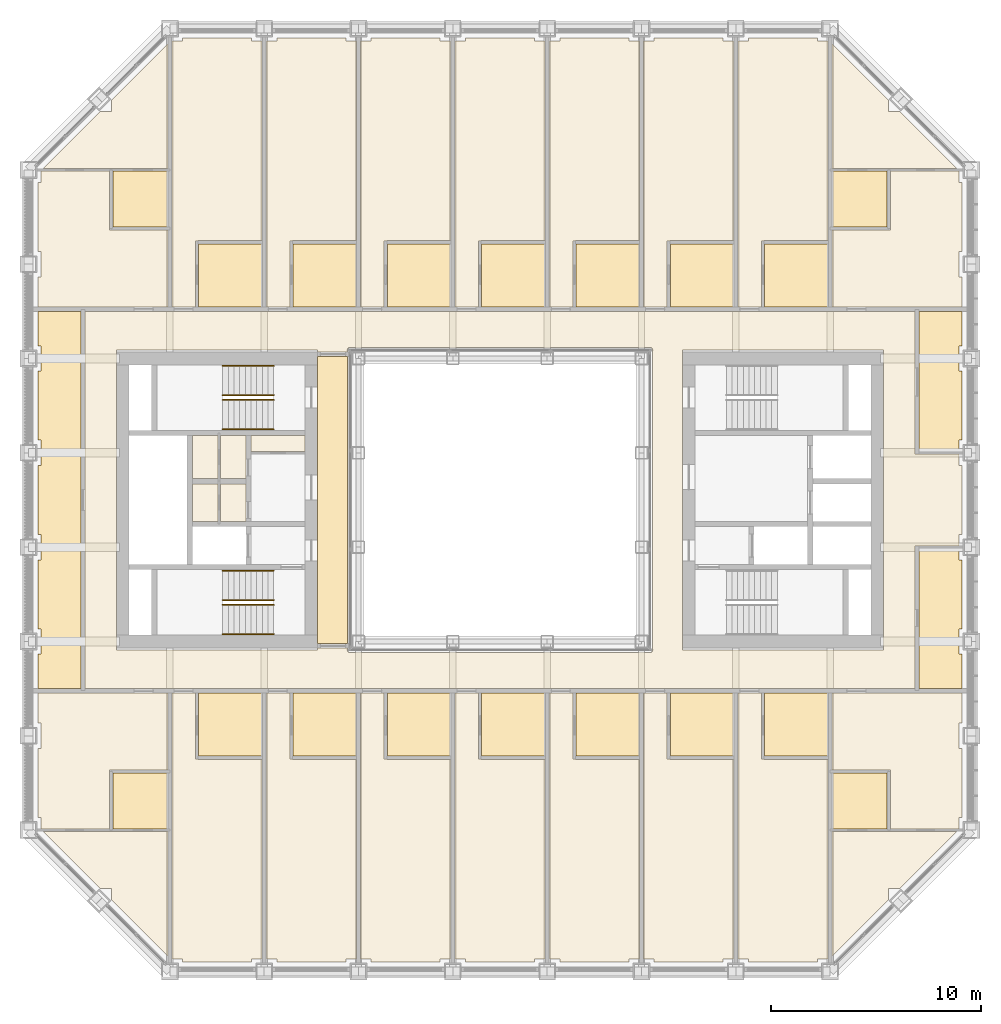
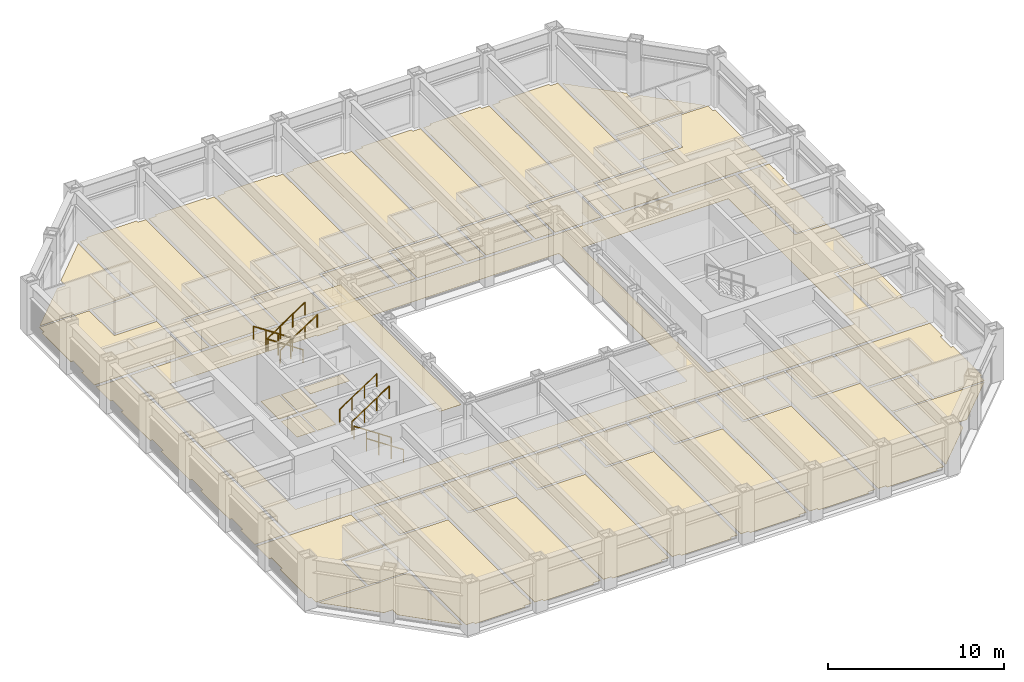
# One storey, part 16 of 18: 8 railings, 4 coverings.
"""IFC4 building model written with IfcOpenShell, lengths in metres."""

from ifc_helpers import new_model, si_unit, direction, frame, origin, origin_2d, place, context, subcontext, project, spatial, line, indexed_curve, circle, outline, extrude, material, layer, layer_set, type_object, element, save


model = new_model("IFC4")

# Units and contexts
model_context = context("Model", 3, precision=1e-05, world=origin(), true_north=direction((0.0, 1.0)))
body_context = subcontext(model_context, "Body", "Model", "MODEL_VIEW")
ifc_project = project(units=[si_unit("LENGTHUNIT", "METRE"), si_unit("AREAUNIT", "SQUARE_METRE"), si_unit("VOLUMEUNIT", "CUBIC_METRE"), si_unit("PLANEANGLEUNIT", "RADIAN"), si_unit("MASSUNIT", "GRAM", prefix="KILO")], contexts=[model_context])

# Site, building, storey
site_placement = place(None, origin())
site = spatial("IfcSite", under=ifc_project, at=site_placement, CompositionType="ELEMENT")
building_placement = place(site_placement, origin())
building = spatial("IfcBuilding", under=site, at=building_placement, Name="Msasa Ring Tower", CompositionType="ELEMENT")
storey_placement = place(building_placement, frame((0.0, 0.0, 122.0)))
storey = spatial("IfcBuildingStorey", under=building, at=storey_placement, Name="L31", CompositionType="ELEMENT", Elevation=122.0)

# Coverings
ifc_material_1 = material(Name="Gypsum plasterboard on a steel suspension grid", Category="steel")
ifc_layer_1 = layer(ifc_material_1, 0.014892578125)
ifc_layer_set_1 = layer_set([ifc_layer_1], Name="C1 SUSPENDED PLASTERBOARD CEILING 15")
covering_type_1 = type_object("IfcCoveringType", Name="C1 SUSPENDED PLASTERBOARD CEILING 15", PredefinedType="CEILING", material=ifc_layer_set_1)
covering_1_placement = place(storey_placement, frame((0.0, 0.0, 3.199951171875)))
element("IfcCovering", 1, at=covering_1_placement, inside=storey, type_object=covering_type_1, Name="Suspended Plasterboard Ceiling 15 public rooms L31", PredefinedType="CEILING", context=body_context, shape_type="SweptSolid", body=[
    extrude(outline(indexed_curve([(-8.699462890625, 6.849609375), (-7.280029296875, 6.849609375), (-7.280029296875, -6.849609375), (-8.699462890625, -6.849609375)], segments=[line(1, 2, 3, 4, 1)], self_intersect=False)), origin(), (0.0, 0.0, 1.0), 0.01513671875),
])
ifc_material_2 = material(Name="Wool-blend carpet on felt underlay", Category="textile")
ifc_layer_2 = layer(ifc_material_2, 0.011962890625)
ifc_layer_set_2 = layer_set([ifc_layer_2], Name="F2 CARPET ON UNDERLAY 12")
covering_type_2 = type_object("IfcCoveringType", Name="F2 CARPET ON UNDERLAY 12", PredefinedType="FLOORING", material=ifc_layer_set_2)
covering_2_placement = place(storey_placement, origin())
element("IfcCovering", 2, at=covering_2_placement, inside=storey, type_object=covering_type_2, Name="Carpet On Underlay 12 L31", PredefinedType="FLOORING", context=body_context, shape_type="SweptSolid", body=[
    extrude(outline(indexed_curve([(-15.8505859375, -9.200439453125), (-15.8505859375, -12.869384765625), (-18.630615234375, -12.869384765625), (-18.630615234375, -15.694580078125), (-21.8994140625, -15.694580078125), (-21.8994140625, -15.1494140625), (-22.049560546875, -15.1494140625), (-22.049560546875, -11.8505859375), (-21.8994140625, -11.8505859375), (-21.8994140625, -10.6494140625), (-22.049560546875, -10.6494140625), (-22.049560546875, -9.200439453125)], segments=[line(1, 2, 3, 4, 5, 6, 7, 8, 9, 10, 11, 12, 1)], self_intersect=False)), origin(), (0.0, 0.0, 1.0), 0.011962890625),
    extrude(outline(indexed_curve([(-22.049560546875, 9.200439453125), (-22.049560546875, 10.6494140625), (-21.8994140625, 10.6494140625), (-21.8994140625, 11.8505859375), (-22.049560546875, 11.8505859375), (-22.049560546875, 15.1494140625), (-21.8994140625, 15.1494140625), (-21.8994140625, 15.694580078125), (-18.630615234375, 15.694580078125), (-18.630615234375, 12.869384765625), (-15.8505859375, 12.869384765625), (-15.8505859375, 9.200439453125)], segments=[line(1, 2, 3, 4, 5, 6, 7, 8, 9, 10, 11, 12, 1)], self_intersect=False)), origin(), (0.0, 0.0, 1.0), 0.011962890625),
    extrude(outline(indexed_curve([(-15.8505859375, -15.805419921875), (-15.8505859375, -21.762451171875), (-18.5244140625, -19.08837890625), (-18.5244140625, -18.5244140625), (-19.08837890625, -18.5244140625), (-21.807373046875, -15.805419921875)], segments=[line(1, 2, 3, 4, 5, 6, 1)], self_intersect=False)), origin(), (0.0, 0.0, 1.0), 0.011962890625),
    extrude(outline(indexed_curve([(-21.807373046875, 15.805419921875), (-19.08837890625, 18.5244140625), (-18.5244140625, 18.5244140625), (-18.5244140625, 19.08837890625), (-15.8505859375, 21.762451171875), (-15.8505859375, 15.805419921875)], segments=[line(1, 2, 3, 4, 5, 6, 1)], self_intersect=False)), origin(), (0.0, 0.0, 1.0), 0.011962890625),
    extrude(outline(indexed_curve([(22.049560546875, -1.6494140625), (21.8994140625, -1.6494140625), (21.8994140625, -2.199462890625), (19.799560546875, -2.199462890625), (19.799560546875, -8.99951171875), (-19.799560546875, -8.99951171875), (-19.799560546875, 8.99951171875), (19.799560546875, 8.99951171875), (19.799560546875, 2.199462890625), (21.8994140625, 2.199462890625), (21.8994140625, 1.6494140625), (22.049560546875, 1.6494140625)], segments=[line(1, 2, 3, 4, 5, 6, 7, 8, 9, 10, 11, 12, 1)], self_intersect=False), holes=[indexed_curve([(18.300537109375, -7.150390625), (18.300537109375, 7.150390625), (8.699462890625, 7.150390625), (8.699462890625, -7.150390625)], segments=[line(1, 2, 3, 4, 1)], self_intersect=False), indexed_curve([(-18.300537109375, 7.150390625), (-18.300537109375, -7.150390625), (-8.699462890625, -7.150390625), (-8.699462890625, -7.050537109375), (-7.280029296875, -7.050537109375), (-7.280517578125, -7.23046875), (-7.22998046875, -7.23046875), (-7.22998046875, -7.280029296875), (7.22998046875, -7.280029296875), (7.22998046875, -7.23046875), (7.280517578125, -7.23046875), (7.280517578125, 7.23046875), (7.22998046875, 7.23046875), (7.22998046875, 7.280029296875), (-7.22998046875, 7.280029296875), (-7.22998046875, 7.23046875), (-7.280517578125, 7.23046875), (-7.280029296875, 7.050537109375), (-8.699462890625, 7.050537109375), (-8.699462890625, 7.150390625)], segments=[line(1, 2, 3, 4, 5, 6, 7, 8, 9, 10, 11, 12, 13, 14, 15, 16, 17, 18, 19, 20, 1)], self_intersect=False)]), origin(), (0.0, 0.0, 1.0), 0.011962890625),
    extrude(outline(indexed_curve([(-15.6494140625, -9.200439453125), (-14.525390625, -9.200439453125), (-14.525390625, -12.35009765625), (-14.39990234375, -12.3505859375), (-14.39990234375, -12.37548828125), (-11.3505859375, -12.37548828125), (-11.3505859375, -21.8994140625), (-11.8505859375, -21.8994140625), (-11.8505859375, -22.049560546875), (-15.1494140625, -22.049560546875), (-15.1494140625, -21.8994140625), (-15.6494140625, -21.8994140625)], segments=[line(1, 2, 3, 4, 5, 6, 7, 8, 9, 10, 11, 12, 1)], self_intersect=False)), origin(), (0.0, 0.0, 1.0), 0.011962890625),
    extrude(outline(indexed_curve([(-15.6494140625, 21.8994140625), (-15.1494140625, 21.8994140625), (-15.1494140625, 22.049560546875), (-11.8505859375, 22.049560546875), (-11.8505859375, 21.8994140625), (-11.3505859375, 21.8994140625), (-11.3505859375, 12.37548828125), (-14.39990234375, 12.37548828125), (-14.39990234375, 12.3505859375), (-14.525390625, 12.35009765625), (-14.525390625, 9.200439453125), (-15.6494140625, 9.200439453125)], segments=[line(1, 2, 3, 4, 5, 6, 7, 8, 9, 10, 11, 12, 1)], self_intersect=False)), origin(), (0.0, 0.0, 1.0), 0.011962890625),
    extrude(outline(indexed_curve([(-13.45556640625, -1.0244140625), (-14.674560546875, -1.0244140625), (-14.674560546875, 0.7744140625), (-13.45556640625, 0.7744140625)], segments=[line(1, 2, 3, 4, 1)], self_intersect=False)), origin(), (0.0, 0.0, 1.0), 0.011962890625),
    extrude(outline(indexed_curve([(-13.45556640625, 3.074462890625), (-13.45556640625, 1.025390625), (-14.674560546875, 1.025390625), (-14.674560546875, 3.074462890625)], segments=[line(1, 2, 3, 4, 1)], self_intersect=False)), origin(), (0.0, 0.0, 1.0), 0.011962890625),
    extrude(outline(indexed_curve([(-12.12548828125, -1.0244140625), (-13.344482421875, -1.0244140625), (-13.344482421875, 0.7744140625), (-12.12548828125, 0.7744140625)], segments=[line(1, 2, 3, 4, 1)], self_intersect=False)), origin(), (0.0, 0.0, 1.0), 0.011962890625),
    extrude(outline(indexed_curve([(-12.12548828125, 1.025390625), (-13.344482421875, 1.025390625), (-13.344482421875, 3.074462890625), (-12.12548828125, 3.074462890625)], segments=[line(1, 2, 3, 4, 1)], self_intersect=False)), origin(), (0.0, 0.0, 1.0), 0.011962890625),
    extrude(outline(indexed_curve([(-9.300537109375, 2.305419921875), (-11.87451171875, 2.305419921875), (-11.87451171875, 3.074462890625), (-9.300537109375, 3.074462890625)], segments=[line(1, 2, 3, 4, 1)], self_intersect=False)), origin(), (0.0, 0.0, 1.0), 0.011962890625),
    extrude(outline(indexed_curve([(-10.025390625, -9.200439453125), (-10.025390625, -12.35009765625), (-9.89990234375, -12.3505859375), (-9.89990234375, -12.37548828125), (-6.8505859375, -12.37548828125), (-6.8505859375, -21.8994140625), (-7.3505859375, -21.8994140625), (-7.3505859375, -22.049560546875), (-10.6494140625, -22.049560546875), (-10.6494140625, -21.8994140625), (-11.1494140625, -21.8994140625), (-11.1494140625, -9.200439453125)], segments=[line(1, 2, 3, 4, 5, 6, 7, 8, 9, 10, 11, 12, 1)], self_intersect=False)), origin(), (0.0, 0.0, 1.0), 0.011962890625),
    extrude(outline(indexed_curve([(-7.3505859375, 22.049560546875), (-7.3505859375, 21.8994140625), (-6.8505859375, 21.8994140625), (-6.8505859375, 12.37548828125), (-9.89990234375, 12.37548828125), (-9.89990234375, 12.3505859375), (-10.025390625, 12.35009765625), (-10.025390625, 9.200439453125), (-11.1494140625, 9.200439453125), (-11.1494140625, 21.8994140625), (-10.6494140625, 21.8994140625), (-10.6494140625, 22.049560546875)], segments=[line(1, 2, 3, 4, 5, 6, 7, 8, 9, 10, 11, 12, 1)], self_intersect=False)), origin(), (0.0, 0.0, 1.0), 0.011962890625),
    extrude(outline(indexed_curve([(-5.525390625, -9.200439453125), (-5.525390625, -12.35009765625), (-5.39990234375, -12.3505859375), (-5.39990234375, -12.37548828125), (-2.3505859375, -12.37548828125), (-2.3505859375, -21.8994140625), (-2.8505859375, -21.8994140625), (-2.8505859375, -22.049560546875), (-6.1494140625, -22.049560546875), (-6.1494140625, -21.8994140625), (-6.6494140625, -21.8994140625), (-6.6494140625, -9.200439453125)], segments=[line(1, 2, 3, 4, 5, 6, 7, 8, 9, 10, 11, 12, 1)], self_intersect=False)), origin(), (0.0, 0.0, 1.0), 0.011962890625),
    extrude(outline(indexed_curve([(-2.8505859375, 22.049560546875), (-2.8505859375, 21.8994140625), (-2.3505859375, 21.8994140625), (-2.3505859375, 12.37548828125), (-5.39990234375, 12.37548828125), (-5.39990234375, 12.3505859375), (-5.525390625, 12.35009765625), (-5.525390625, 9.200439453125), (-6.6494140625, 9.200439453125), (-6.6494140625, 21.8994140625), (-6.1494140625, 21.8994140625), (-6.1494140625, 22.049560546875)], segments=[line(1, 2, 3, 4, 5, 6, 7, 8, 9, 10, 11, 12, 1)], self_intersect=False)), origin(), (0.0, 0.0, 1.0), 0.011962890625),
    extrude(outline(indexed_curve([(-1.025390625, -9.200439453125), (-1.025390625, -12.35009765625), (-0.89990234375, -12.3505859375), (-0.89990234375, -12.37548828125), (2.1494140625, -12.37548828125), (2.1494140625, -21.8994140625), (1.6494140625, -21.8994140625), (1.6494140625, -22.049560546875), (-1.6494140625, -22.049560546875), (-1.6494140625, -21.8994140625), (-2.1494140625, -21.8994140625), (-2.1494140625, -9.200439453125)], segments=[line(1, 2, 3, 4, 5, 6, 7, 8, 9, 10, 11, 12, 1)], self_intersect=False)), origin(), (0.0, 0.0, 1.0), 0.011962890625),
    extrude(outline(indexed_curve([(1.6494140625, 22.049560546875), (1.6494140625, 21.8994140625), (2.1494140625, 21.8994140625), (2.1494140625, 12.37548828125), (-0.89990234375, 12.37548828125), (-0.89990234375, 12.3505859375), (-1.025390625, 12.35009765625), (-1.025390625, 9.200439453125), (-2.1494140625, 9.200439453125), (-2.1494140625, 21.8994140625), (-1.6494140625, 21.8994140625), (-1.6494140625, 22.049560546875)], segments=[line(1, 2, 3, 4, 5, 6, 7, 8, 9, 10, 11, 12, 1)], self_intersect=False)), origin(), (0.0, 0.0, 1.0), 0.011962890625),
    extrude(outline(indexed_curve([(3.474609375, -9.200439453125), (3.474609375, -12.35009765625), (3.60009765625, -12.3505859375), (3.60009765625, -12.37548828125), (6.6494140625, -12.37548828125), (6.6494140625, -21.8994140625), (6.1494140625, -21.8994140625), (6.1494140625, -22.049560546875), (2.8505859375, -22.049560546875), (2.8505859375, -21.8994140625), (2.3505859375, -21.8994140625), (2.3505859375, -9.200439453125)], segments=[line(1, 2, 3, 4, 5, 6, 7, 8, 9, 10, 11, 12, 1)], self_intersect=False)), origin(), (0.0, 0.0, 1.0), 0.011962890625),
    extrude(outline(indexed_curve([(6.1494140625, 22.049560546875), (6.1494140625, 21.8994140625), (6.6494140625, 21.8994140625), (6.6494140625, 12.37548828125), (3.60009765625, 12.37548828125), (3.60009765625, 12.3505859375), (3.474609375, 12.35009765625), (3.474609375, 9.200439453125), (2.3505859375, 9.200439453125), (2.3505859375, 21.8994140625), (2.8505859375, 21.8994140625), (2.8505859375, 22.049560546875)], segments=[line(1, 2, 3, 4, 5, 6, 7, 8, 9, 10, 11, 12, 1)], self_intersect=False)), origin(), (0.0, 0.0, 1.0), 0.011962890625),
    extrude(outline(indexed_curve([(7.974609375, -9.200439453125), (7.974609375, -12.35009765625), (8.10009765625, -12.3505859375), (8.10009765625, -12.37548828125), (11.1494140625, -12.37548828125), (11.1494140625, -21.8994140625), (10.6494140625, -21.8994140625), (10.6494140625, -22.049560546875), (7.3505859375, -22.049560546875), (7.3505859375, -21.8994140625), (6.8505859375, -21.8994140625), (6.8505859375, -9.200439453125)], segments=[line(1, 2, 3, 4, 5, 6, 7, 8, 9, 10, 11, 12, 1)], self_intersect=False)), origin(), (0.0, 0.0, 1.0), 0.011962890625),
    extrude(outline(indexed_curve([(10.6494140625, 22.049560546875), (10.6494140625, 21.8994140625), (11.1494140625, 21.8994140625), (11.1494140625, 12.37548828125), (8.10009765625, 12.37548828125), (8.10009765625, 12.3505859375), (7.974609375, 12.35009765625), (7.974609375, 9.200439453125), (6.8505859375, 9.200439453125), (6.8505859375, 21.8994140625), (7.3505859375, 21.8994140625), (7.3505859375, 22.049560546875)], segments=[line(1, 2, 3, 4, 5, 6, 7, 8, 9, 10, 11, 12, 1)], self_intersect=False)), origin(), (0.0, 0.0, 1.0), 0.011962890625),
    extrude(outline(indexed_curve([(11.3505859375, -9.200439453125), (12.474609375, -9.200439453125), (12.474609375, -12.35009765625), (12.60009765625, -12.3505859375), (12.60009765625, -12.37548828125), (15.6494140625, -12.37548828125), (15.6494140625, -21.8994140625), (15.1494140625, -21.8994140625), (15.1494140625, -22.049560546875), (11.8505859375, -22.049560546875), (11.8505859375, -21.8994140625), (11.3505859375, -21.8994140625)], segments=[line(1, 2, 3, 4, 5, 6, 7, 8, 9, 10, 11, 12, 1)], self_intersect=False)), origin(), (0.0, 0.0, 1.0), 0.011962890625),
    extrude(outline(indexed_curve([(11.3505859375, 21.8994140625), (11.8505859375, 21.8994140625), (11.8505859375, 22.049560546875), (15.1494140625, 22.049560546875), (15.1494140625, 21.8994140625), (15.6494140625, 21.8994140625), (15.6494140625, 12.37548828125), (12.60009765625, 12.37548828125), (12.60009765625, 12.3505859375), (12.474609375, 12.35009765625), (12.474609375, 9.200439453125), (11.3505859375, 9.200439453125)], segments=[line(1, 2, 3, 4, 5, 6, 7, 8, 9, 10, 11, 12, 1)], self_intersect=False)), origin(), (0.0, 0.0, 1.0), 0.011962890625),
    extrude(outline(indexed_curve([(15.8505859375, -15.805419921875), (21.807373046875, -15.805419921875), (19.08837890625, -18.5244140625), (18.5244140625, -18.5244140625), (18.5244140625, -19.08837890625), (15.8505859375, -21.762451171875)], segments=[line(1, 2, 3, 4, 5, 6, 1)], self_intersect=False)), origin(), (0.0, 0.0, 1.0), 0.011962890625),
    extrude(outline(indexed_curve([(22.049560546875, -9.200439453125), (22.049560546875, -10.6494140625), (21.8994140625, -10.6494140625), (21.8994140625, -11.8505859375), (22.049560546875, -11.8505859375), (22.049560546875, -15.1494140625), (21.8994140625, -15.1494140625), (21.8994140625, -15.694580078125), (18.630615234375, -15.694580078125), (18.630615234375, -12.869384765625), (15.8505859375, -12.869384765625), (15.8505859375, -9.200439453125)], segments=[line(1, 2, 3, 4, 5, 6, 7, 8, 9, 10, 11, 12, 1)], self_intersect=False)), origin(), (0.0, 0.0, 1.0), 0.011962890625),
    extrude(outline(indexed_curve([(22.049560546875, 11.8505859375), (21.8994140625, 11.8505859375), (21.8994140625, 10.6494140625), (22.049560546875, 10.6494140625), (22.049560546875, 9.200439453125), (15.8505859375, 9.200439453125), (15.8505859375, 12.869384765625), (18.630615234375, 12.869384765625), (18.630615234375, 15.694580078125), (21.8994140625, 15.694580078125), (21.8994140625, 15.1494140625), (22.049560546875, 15.1494140625)], segments=[line(1, 2, 3, 4, 5, 6, 7, 8, 9, 10, 11, 12, 1)], self_intersect=False)), origin(), (0.0, 0.0, 1.0), 0.011962890625),
    extrude(outline(indexed_curve([(15.8505859375, 21.762451171875), (18.5244140625, 19.08837890625), (18.5244140625, 18.5244140625), (19.08837890625, 18.5244140625), (21.807373046875, 15.805419921875), (15.8505859375, 15.805419921875)], segments=[line(1, 2, 3, 4, 5, 6, 1)], self_intersect=False)), origin(), (0.0, 0.0, 1.0), 0.011962890625),
])
ifc_material_3 = material(Name="Porcelain floor tiles in adhesive", Category="ceramic")
ifc_layer_3 = layer(ifc_material_3, 0.010009765625)
ifc_layer_set_3 = layer_set([ifc_layer_3], Name="F4 PORCELAIN TILE ON ADHESIVE 10")
covering_type_3 = type_object("IfcCoveringType", Name="F4 PORCELAIN TILE ON ADHESIVE 10", PredefinedType="FLOORING", material=ifc_layer_set_3)
covering_3_placement = place(storey_placement, origin())
element("IfcCovering", 3, at=covering_3_placement, inside=storey, type_object=covering_type_3, Name="Porcelain Tile On Adhesive 10 L31", PredefinedType="FLOORING", context=body_context, shape_type="SweptSolid", body=[
    extrude(outline(indexed_curve([(-15.8505859375, -13.030517578125), (-15.8505859375, -15.694580078125), (-18.469482421875, -15.694580078125), (-18.469482421875, -13.030517578125)], segments=[line(1, 2, 3, 4, 1)], self_intersect=False)), origin(), (0.0, 0.0, 1.0), 0.010009765625),
    extrude(outline(indexed_curve([(-15.8505859375, 13.030517578125), (-18.469482421875, 13.030517578125), (-18.469482421875, 15.694580078125), (-15.8505859375, 15.694580078125)], segments=[line(1, 2, 3, 4, 1)], self_intersect=False)), origin(), (0.0, 0.0, 1.0), 0.010009765625),
    extrude(outline(indexed_curve([(-11.3505859375, -9.200439453125), (-11.3505859375, -12.224609375), (-14.37451171875, -12.224609375), (-14.37451171875, -9.200439453125)], segments=[line(1, 2, 3, 4, 1)], self_intersect=False)), origin(), (0.0, 0.0, 1.0), 0.010009765625),
    extrude(outline(indexed_curve([(-11.3505859375, 9.200439453125), (-14.37451171875, 9.200439453125), (-14.37451171875, 12.224609375), (-11.3505859375, 12.224609375)], segments=[line(1, 2, 3, 4, 1)], self_intersect=False)), origin(), (0.0, 0.0, 1.0), 0.010009765625),
    extrude(outline(indexed_curve([(-6.8505859375, -9.200439453125), (-6.8505859375, -12.224609375), (-9.87451171875, -12.224609375), (-9.87451171875, -9.200439453125)], segments=[line(1, 2, 3, 4, 1)], self_intersect=False)), origin(), (0.0, 0.0, 1.0), 0.010009765625),
    extrude(outline(indexed_curve([(-6.8505859375, 9.200439453125), (-9.87451171875, 9.200439453125), (-9.87451171875, 12.224609375), (-6.8505859375, 12.224609375)], segments=[line(1, 2, 3, 4, 1)], self_intersect=False)), origin(), (0.0, 0.0, 1.0), 0.010009765625),
    extrude(outline(indexed_curve([(-2.3505859375, -9.200439453125), (-2.3505859375, -12.224609375), (-5.37451171875, -12.224609375), (-5.37451171875, -9.200439453125)], segments=[line(1, 2, 3, 4, 1)], self_intersect=False)), origin(), (0.0, 0.0, 1.0), 0.010009765625),
    extrude(outline(indexed_curve([(-2.3505859375, 9.200439453125), (-5.37451171875, 9.200439453125), (-5.37451171875, 12.224609375), (-2.3505859375, 12.224609375)], segments=[line(1, 2, 3, 4, 1)], self_intersect=False)), origin(), (0.0, 0.0, 1.0), 0.010009765625),
    extrude(outline(indexed_curve([(2.1494140625, -9.200439453125), (2.1494140625, -12.224609375), (-0.87451171875, -12.224609375), (-0.87451171875, -9.200439453125)], segments=[line(1, 2, 3, 4, 1)], self_intersect=False)), origin(), (0.0, 0.0, 1.0), 0.010009765625),
    extrude(outline(indexed_curve([(2.1494140625, 9.200439453125), (-0.87451171875, 9.200439453125), (-0.87451171875, 12.224609375), (2.1494140625, 12.224609375)], segments=[line(1, 2, 3, 4, 1)], self_intersect=False)), origin(), (0.0, 0.0, 1.0), 0.010009765625),
    extrude(outline(indexed_curve([(6.6494140625, -9.200439453125), (6.6494140625, -12.224609375), (3.62548828125, -12.224609375), (3.62548828125, -9.200439453125)], segments=[line(1, 2, 3, 4, 1)], self_intersect=False)), origin(), (0.0, 0.0, 1.0), 0.010009765625),
    extrude(outline(indexed_curve([(6.6494140625, 9.200439453125), (3.62548828125, 9.200439453125), (3.62548828125, 12.224609375), (6.6494140625, 12.224609375)], segments=[line(1, 2, 3, 4, 1)], self_intersect=False)), origin(), (0.0, 0.0, 1.0), 0.010009765625),
    extrude(outline(indexed_curve([(11.1494140625, -9.200439453125), (11.1494140625, -12.224609375), (8.12548828125, -12.224609375), (8.12548828125, -9.200439453125)], segments=[line(1, 2, 3, 4, 1)], self_intersect=False)), origin(), (0.0, 0.0, 1.0), 0.010009765625),
    extrude(outline(indexed_curve([(11.1494140625, 9.200439453125), (8.12548828125, 9.200439453125), (8.12548828125, 12.224609375), (11.1494140625, 12.224609375)], segments=[line(1, 2, 3, 4, 1)], self_intersect=False)), origin(), (0.0, 0.0, 1.0), 0.010009765625),
    extrude(outline(indexed_curve([(15.6494140625, -9.200439453125), (15.6494140625, -12.224609375), (12.62548828125, -12.224609375), (12.62548828125, -9.200439453125)], segments=[line(1, 2, 3, 4, 1)], self_intersect=False)), origin(), (0.0, 0.0, 1.0), 0.010009765625),
    extrude(outline(indexed_curve([(15.6494140625, 9.200439453125), (12.62548828125, 9.200439453125), (12.62548828125, 12.224609375), (15.6494140625, 12.224609375)], segments=[line(1, 2, 3, 4, 1)], self_intersect=False)), origin(), (0.0, 0.0, 1.0), 0.010009765625),
    extrude(outline(indexed_curve([(18.469482421875, -13.030517578125), (18.469482421875, -15.694580078125), (15.8505859375, -15.694580078125), (15.8505859375, -13.030517578125)], segments=[line(1, 2, 3, 4, 1)], self_intersect=False)), origin(), (0.0, 0.0, 1.0), 0.010009765625),
    extrude(outline(indexed_curve([(18.469482421875, 13.030517578125), (15.8505859375, 13.030517578125), (15.8505859375, 15.694580078125), (18.469482421875, 15.694580078125)], segments=[line(1, 2, 3, 4, 1)], self_intersect=False)), origin(), (0.0, 0.0, 1.0), 0.010009765625),
])
ifc_material_4 = material(Name="Welded vinyl safety sheet flooring", Category="vinyl")
ifc_layer_4 = layer(ifc_material_4, 0.0029296875)
ifc_layer_set_4 = layer_set([ifc_layer_4], Name="F5 RESILIENT SHEET FLOORING 3")
covering_type_4 = type_object("IfcCoveringType", Name="F5 RESILIENT SHEET FLOORING 3", PredefinedType="FLOORING", material=ifc_layer_set_4)
covering_4_placement = place(storey_placement, origin())
element("IfcCovering", 4, at=covering_4_placement, inside=storey, type_object=covering_type_4, Name="Resilient Sheet Flooring 3 L31", PredefinedType="FLOORING", context=body_context, shape_type="SweptSolid", body=[
    extrude(outline(indexed_curve([(-20.00048828125, 8.99951171875), (-20.00048828125, -8.99951171875), (-22.049560546875, -8.99951171875), (-22.049560546875, -7.3505859375), (-21.8994140625, -7.3505859375), (-21.8994140625, -6.1494140625), (-22.049560546875, -6.1494140625), (-22.049560546875, -2.8505859375), (-21.8994140625, -2.8505859375), (-21.8994140625, -1.6494140625), (-22.049560546875, -1.6494140625), (-22.049560546875, 1.6494140625), (-21.8994140625, 1.6494140625), (-21.8994140625, 2.8505859375), (-22.049560546875, 2.8505859375), (-22.049560546875, 6.1494140625), (-21.8994140625, 6.1494140625), (-21.8994140625, 7.3505859375), (-22.049560546875, 7.3505859375), (-22.049560546875, 8.99951171875)], segments=[line(1, 2, 3, 4, 5, 6, 7, 8, 9, 10, 11, 12, 13, 14, 15, 16, 17, 18, 19, 20, 1)], self_intersect=False)), origin(), (0.0, 0.0, 1.0), 0.0029296875),
    extrude(outline(indexed_curve([(21.8994140625, -2.305419921875), (21.8994140625, -2.8505859375), (22.049560546875, -2.8505859375), (22.049560546875, -6.1494140625), (21.8994140625, -6.1494140625), (21.8994140625, -7.3505859375), (22.049560546875, -7.3505859375), (22.049560546875, -8.99951171875), (20.00048828125, -8.99951171875), (20.00048828125, -2.305419921875)], segments=[line(1, 2, 3, 4, 5, 6, 7, 8, 9, 10, 1)], self_intersect=False)), origin(), (0.0, 0.0, 1.0), 0.0029296875),
    extrude(outline(indexed_curve([(22.049560546875, 7.3505859375), (21.8994140625, 7.3505859375), (21.8994140625, 6.1494140625), (22.049560546875, 6.1494140625), (22.049560546875, 2.8505859375), (21.8994140625, 2.8505859375), (21.8994140625, 2.305419921875), (20.00048828125, 2.305419921875), (20.00048828125, 8.99951171875), (22.049560546875, 8.99951171875)], segments=[line(1, 2, 3, 4, 5, 6, 7, 8, 9, 10, 1)], self_intersect=False)), origin(), (0.0, 0.0, 1.0), 0.0029296875),
])

# Railings
ifc_material_5 = material(Name="Stainless steel", Category="steel")
railing_type = type_object("IfcRailingType", Name="HR1 HANDRAIL 900", PredefinedType="HANDRAIL", material=ifc_material_5)
for number, where, name in (
    (5, (-10.800048828125, -6.39990234375, 0.179931640625), "Handrail stair SWA L31 1"),
    (6, (-10.800048828125, -5.0, 0.179931640625), "Handrail stair SWA L31 2"),
):
    element("IfcRailing", number, at=place(storey_placement, frame(where)), inside=storey, type_object=railing_type, Name=name, PredefinedType="HANDRAIL", context=body_context, shape_type="SweptSolid", body=[
        extrude(circle(Radius=0.02392578125, at=origin_2d()), frame((0.0, 0.0, 0.8759765625), z_axis=(-0.832024571796, 0.0, 0.554738778101), x_axis=(0.0, -1.0, 0.0)), (0.0, 0.0, 1.0), 2.92041015625),
        extrude(circle(Radius=0.02099609375, at=origin_2d()), origin(), (0.0, 0.0, 1.0), 0.851806640625),
        extrude(circle(Radius=0.02099609375, at=origin_2d()), frame((-0.81005859375, 0.0, 0.5400390625)), (0.0, 0.0, 1.0), 0.851806640625),
        extrude(circle(Radius=0.02099609375, at=origin_2d()), frame((-1.619873046875, 0.0, 1.080078125)), (0.0, 0.0, 1.0), 0.851806640625),
        extrude(circle(Radius=0.02099609375, at=origin_2d()), frame((-2.429931640625, 0.0, 1.6201171875)), (0.0, 0.0, 1.0), 0.851806640625),
    ])
for number, where, name in (
    (7, (-13.22998046875, -4.77490234375, 1.97998046875), "Handrail stair SWA L31 3"),
    (8, (-13.22998046875, -3.375, 1.97998046875), "Handrail stair SWA L31 4"),
):
    element("IfcRailing", number, at=place(storey_placement, frame(where)), inside=storey, type_object=railing_type, Name=name, PredefinedType="HANDRAIL", context=body_context, shape_type="SweptSolid", body=[
        extrude(circle(Radius=0.02392578125, at=origin_2d()), frame((0.0, 0.0, 0.8759765625), z_axis=(0.832024571796, 0.0, 0.554738778101), x_axis=(0.0, 1.0, 0.0)), (0.0, 0.0, 1.0), 2.92041015625),
        extrude(circle(Radius=0.02099609375, at=origin_2d()), origin(), (0.0, 0.0, 1.0), 0.851806640625),
        extrude(circle(Radius=0.02099609375, at=origin_2d()), frame((0.81005859375, 0.0, 0.5400390625)), (0.0, 0.0, 1.0), 0.851806640625),
        extrude(circle(Radius=0.02099609375, at=origin_2d()), frame((1.619873046875, 0.0, 1.080078125)), (0.0, 0.0, 1.0), 0.851806640625),
        extrude(circle(Radius=0.02099609375, at=origin_2d()), frame((2.429931640625, 0.0, 1.6201171875)), (0.0, 0.0, 1.0), 0.851806640625),
    ])
for number, where, name in (
    (9, (-10.800048828125, 5.0, 0.179931640625), "Handrail stair SWB L31 1"),
    (10, (-10.800048828125, 6.39990234375, 0.179931640625), "Handrail stair SWB L31 2"),
):
    element("IfcRailing", number, at=place(storey_placement, frame(where)), inside=storey, type_object=railing_type, Name=name, PredefinedType="HANDRAIL", context=body_context, shape_type="SweptSolid", body=[
        extrude(circle(Radius=0.02392578125, at=origin_2d()), frame((0.0, 0.0, 0.8759765625), z_axis=(-0.832024571796, 0.0, 0.554738778101), x_axis=(0.0, -1.0, 0.0)), (0.0, 0.0, 1.0), 2.92041015625),
        extrude(circle(Radius=0.02099609375, at=origin_2d()), origin(), (0.0, 0.0, 1.0), 0.851806640625),
        extrude(circle(Radius=0.02099609375, at=origin_2d()), frame((-0.81005859375, 0.0, 0.5400390625)), (0.0, 0.0, 1.0), 0.851806640625),
        extrude(circle(Radius=0.02099609375, at=origin_2d()), frame((-1.619873046875, 0.0, 1.080078125)), (0.0, 0.0, 1.0), 0.851806640625),
        extrude(circle(Radius=0.02099609375, at=origin_2d()), frame((-2.429931640625, 0.0, 1.6201171875)), (0.0, 0.0, 1.0), 0.851806640625),
    ])
for number, where, name in (
    (11, (-13.22998046875, 3.375, 1.97998046875), "Handrail stair SWB L31 3"),
    (12, (-13.22998046875, 4.77490234375, 1.97998046875), "Handrail stair SWB L31 4"),
):
    element("IfcRailing", number, at=place(storey_placement, frame(where)), inside=storey, type_object=railing_type, Name=name, PredefinedType="HANDRAIL", context=body_context, shape_type="SweptSolid", body=[
        extrude(circle(Radius=0.02392578125, at=origin_2d()), frame((0.0, 0.0, 0.8759765625), z_axis=(0.832024571796, 0.0, 0.554738778101), x_axis=(0.0, 1.0, 0.0)), (0.0, 0.0, 1.0), 2.92041015625),
        extrude(circle(Radius=0.02099609375, at=origin_2d()), origin(), (0.0, 0.0, 1.0), 0.851806640625),
        extrude(circle(Radius=0.02099609375, at=origin_2d()), frame((0.81005859375, 0.0, 0.5400390625)), (0.0, 0.0, 1.0), 0.851806640625),
        extrude(circle(Radius=0.02099609375, at=origin_2d()), frame((1.619873046875, 0.0, 1.080078125)), (0.0, 0.0, 1.0), 0.851806640625),
        extrude(circle(Radius=0.02099609375, at=origin_2d()), frame((2.429931640625, 0.0, 1.6201171875)), (0.0, 0.0, 1.0), 0.851806640625),
    ])

save(model, "model.ifc")
